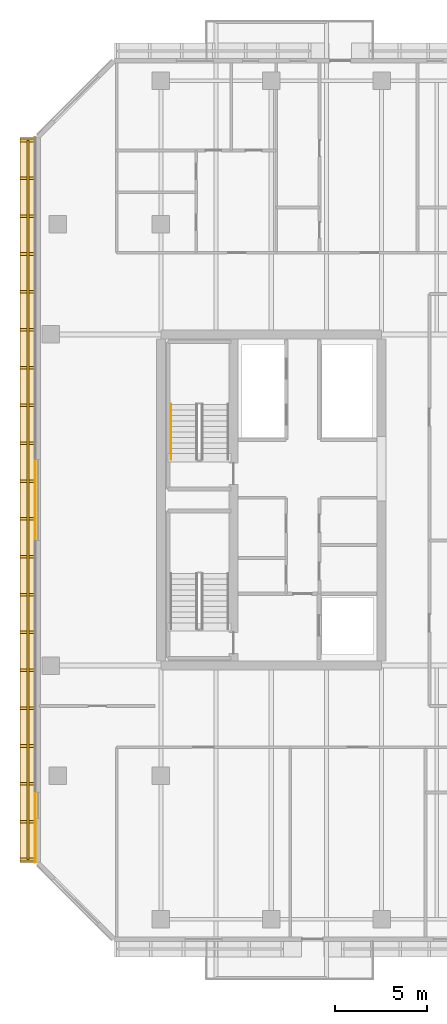
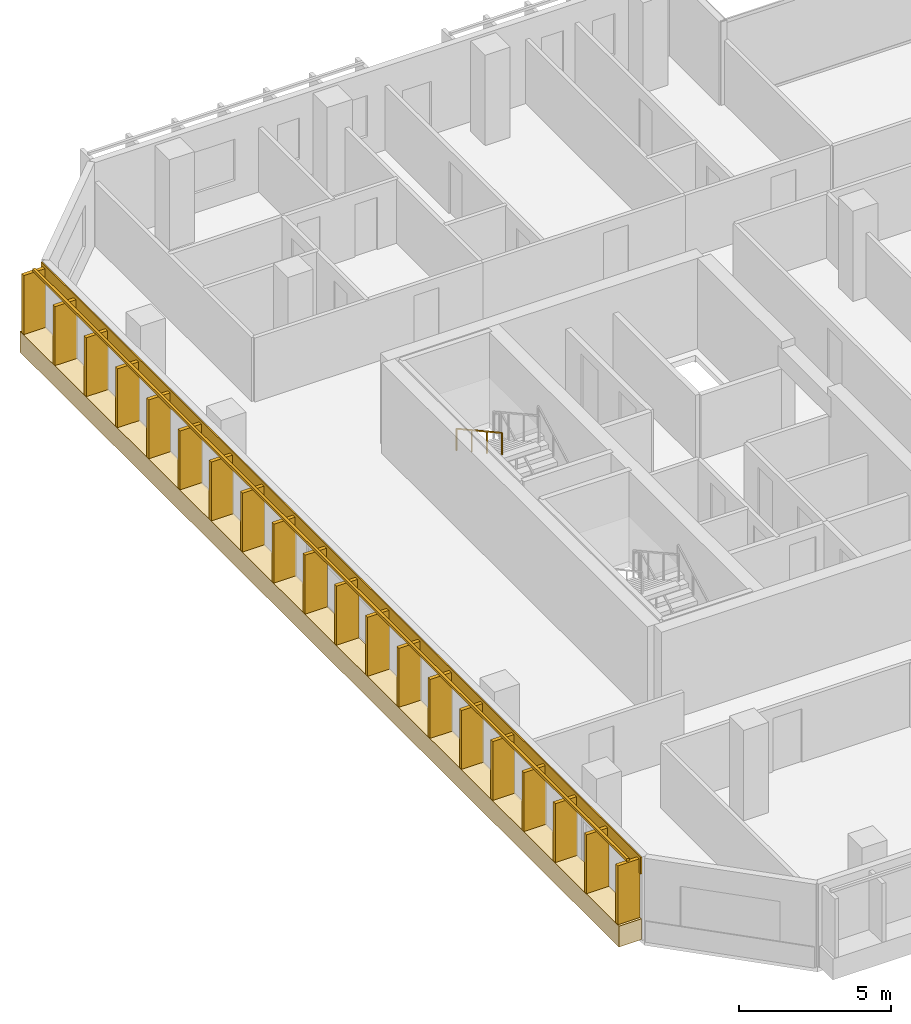
# One storey, part 19 of 23: 2 coverings, 2 railings.
"""IFC4 building model written with IfcOpenShell, lengths in metres."""

from ifc_helpers import new_model, si_unit, direction, frame, origin, origin_2d, place, context, subcontext, project, spatial, rectangle, extrude, material, layer, layer_set, type_object, element, save


model = new_model("IFC4")

# Units and contexts
model_context = context("Model", 3, precision=1e-05, world=origin(), true_north=direction((0.0, 1.0)))
body_context = subcontext(model_context, "Body", "Model", "MODEL_VIEW")
ifc_project = project(units=[si_unit("LENGTHUNIT", "METRE"), si_unit("AREAUNIT", "SQUARE_METRE"), si_unit("VOLUMEUNIT", "CUBIC_METRE"), si_unit("PLANEANGLEUNIT", "RADIAN"), si_unit("MASSUNIT", "GRAM", prefix="KILO")], contexts=[model_context])

# Site, building, storey
site_placement = place(None, origin())
site = spatial("IfcSite", under=ifc_project, at=site_placement, CompositionType="ELEMENT")
building_placement = place(site_placement, origin())
building = spatial("IfcBuilding", under=site, at=building_placement, Name="Tanjung Sevakor Pilgrim Tower", CompositionType="ELEMENT")
storey_placement = place(building_placement, frame((0.0, 0.0, 119.4599609375)))
storey = spatial("IfcBuildingStorey", under=building, at=storey_placement, Name="L33", CompositionType="ELEMENT", Elevation=119.4599609375)

# Coverings
ifc_material_1 = material(Name="Reconstructed Limestone Cladding", Category="masonry")
ifc_layer = layer(ifc_material_1, 0.044921875)
ifc_layer_set = layer_set([ifc_layer], Name="COV-CLAD-LIMESTONE")
covering_type = type_object("IfcCoveringType", Name="COV-CLAD-LIMESTONE", PredefinedType="CLADDING", material=ifc_layer_set)
covering_1_placement = place(storey_placement, frame((16.77001953125, 33.60009765625, 0.009765625), z_axis=(0.0, 0.0, 1.0), x_axis=(0.0, -1.0, 0.0)))
element("IfcCovering", 1, at=covering_1_placement, inside=storey, type_object=covering_type, Name="L33 Warm Limestone Sill Spandrel EW-L33-MAIN-15-1", PredefinedType="CLADDING", context=body_context, shape_type="SweptSolid", body=[
    extrude(rectangle(XDim=39.41650390625, YDim=0.860107421875, at=origin_2d()), origin(), (0.0, 0.0, 1.0), 0.840087890625),
])
covering_2_placement = place(storey_placement, frame((17.177490234375, 33.60009765625, 2.66015625), z_axis=(0.0, 0.0, 1.0), x_axis=(0.0, -1.0, 0.0)))
element("IfcCovering", 2, at=covering_2_placement, inside=storey, type_object=covering_type, Name="L33 Warm Limestone Cornice Spandrel EW-L33-MAIN-15", PredefinedType="CLADDING", context=body_context, shape_type="SweptSolid", body=[
    extrude(rectangle(XDim=39.456298828125, YDim=0.044921875, at=origin_2d()), origin(), (0.0, 0.0, 1.0), 0.679931640625),
])

# Railings
ifc_material_2 = material(Name="Anodised Bronze Aluminium 6063-T6", Category="aluminium")
railing_type_1 = type_object("IfcRailingType", Name="RL-FIN-SCREEN", PredefinedType="BALUSTRADE", material=ifc_material_2)
railing_1_placement = place(storey_placement, frame((16.77490234375, 53.148193359375, 0.840087890625)))
element("IfcRailing", 3, at=railing_1_placement, inside=storey, type_object=railing_type_1, Name="L33 Vertical Bronze-Gold Solar Fin Screen FNEND-EW-L33-MAIN-15-1", PredefinedType="BALUSTRADE", context=body_context, shape_type="SweptSolid", body=[
    extrude(rectangle(XDim=0.105, YDim=0.105), frame((0.0, 0.0, 2.427490234375), z_axis=(0.0, -1.0, 0.0), x_axis=(1.0, 0.0, 0.0)), (0.0, 0.0, 1.0), 39.096435546875),
    extrude(rectangle(XDim=0.85, YDim=0.14), origin(), (0.0, 0.0, 1.0), 2.375),
    extrude(rectangle(XDim=0.85, YDim=0.14), frame((0.0, -2.0576171875, 0.0)), (0.0, 0.0, 1.0), 2.375),
    extrude(rectangle(XDim=0.85, YDim=0.14), frame((0.0, -4.115478515625, 0.0)), (0.0, 0.0, 1.0), 2.375),
    extrude(rectangle(XDim=0.85, YDim=0.14), frame((0.0, -6.173095703125, 0.0)), (0.0, 0.0, 1.0), 2.375),
    extrude(rectangle(XDim=0.85, YDim=0.14), frame((0.0, -8.230712890625, 0.0)), (0.0, 0.0, 1.0), 2.375),
    extrude(rectangle(XDim=0.85, YDim=0.14), frame((0.0, -10.28857421875, 0.0)), (0.0, 0.0, 1.0), 2.375),
    extrude(rectangle(XDim=0.85, YDim=0.14), frame((0.0, -12.34619140625, 0.0)), (0.0, 0.0, 1.0), 2.375),
    extrude(rectangle(XDim=0.85, YDim=0.14), frame((0.0, -14.404052734375, 0.0)), (0.0, 0.0, 1.0), 2.375),
    extrude(rectangle(XDim=0.85, YDim=0.14), frame((0.0, -16.461669921875, 0.0)), (0.0, 0.0, 1.0), 2.375),
    extrude(rectangle(XDim=0.85, YDim=0.14), frame((0.0, -18.519287109375, 0.0)), (0.0, 0.0, 1.0), 2.375),
    extrude(rectangle(XDim=0.85, YDim=0.14), frame((0.0, -20.5771484375, 0.0)), (0.0, 0.0, 1.0), 2.375),
    extrude(rectangle(XDim=0.85, YDim=0.14), frame((0.0, -22.634765625, 0.0)), (0.0, 0.0, 1.0), 2.375),
    extrude(rectangle(XDim=0.85, YDim=0.14), frame((0.0, -24.6923828125, 0.0)), (0.0, 0.0, 1.0), 2.375),
    extrude(rectangle(XDim=0.85, YDim=0.14), frame((0.0, -26.750244140625, 0.0)), (0.0, 0.0, 1.0), 2.375),
    extrude(rectangle(XDim=0.85, YDim=0.14), frame((0.0, -28.807861328125, 0.0)), (0.0, 0.0, 1.0), 2.375),
    extrude(rectangle(XDim=0.85, YDim=0.14), frame((0.0, -30.86572265625, 0.0)), (0.0, 0.0, 1.0), 2.375),
    extrude(rectangle(XDim=0.85, YDim=0.14), frame((0.0, -32.92333984375, 0.0)), (0.0, 0.0, 1.0), 2.375),
    extrude(rectangle(XDim=0.85, YDim=0.14), frame((0.0, -34.98095703125, 0.0)), (0.0, 0.0, 1.0), 2.375),
    extrude(rectangle(XDim=0.85, YDim=0.14), frame((0.0, -37.038818359375, 0.0)), (0.0, 0.0, 1.0), 2.375),
    extrude(rectangle(XDim=0.85, YDim=0.14), frame((0.0, -39.096435546875, 0.0)), (0.0, 0.0, 1.0), 2.375),
])
ifc_material_3 = material(Name="Steel S355J2", Category="steel")
railing_type_2 = type_object("IfcRailingType", Name="RL-STAIR-HAND", PredefinedType="HANDRAIL", material=ifc_material_3)
railing_2_placement = place(storey_placement, frame((24.550048828125, 38.800048828125, 1.97998046875)))
element("IfcRailing", 4, at=railing_2_placement, inside=storey, type_object=railing_type_2, Name="L33 TS-W2 stair handrail 2", PredefinedType="HANDRAIL", context=body_context, shape_type="SweptSolid", body=[
    extrude(rectangle(XDim=0.0479, YDim=0.0479), frame((0.0, 0.0, 0.8759765625), z_axis=(0.0, -0.876197842262, 0.481951596342), x_axis=(1.0, 0.0, 0.0)), (0.0, 0.0, 1.0), 3.423828125),
    extrude(rectangle(XDim=0.042, YDim=0.042), origin(), (0.0, 0.0, 1.0), 0.851806640625),
    extrude(rectangle(XDim=0.042, YDim=0.042), frame((0.0, -1.0, 0.550048828125)), (0.0, 0.0, 1.0), 0.851806640625),
    extrude(rectangle(XDim=0.042, YDim=0.042), frame((0.0, -2.0, 1.10009765625)), (0.0, 0.0, 1.0), 0.851806640625),
    extrude(rectangle(XDim=0.042, YDim=0.042), frame((0.0, -3.0, 1.650146484375)), (0.0, 0.0, 1.0), 0.851806640625),
])

save(model, "model.ifc")
